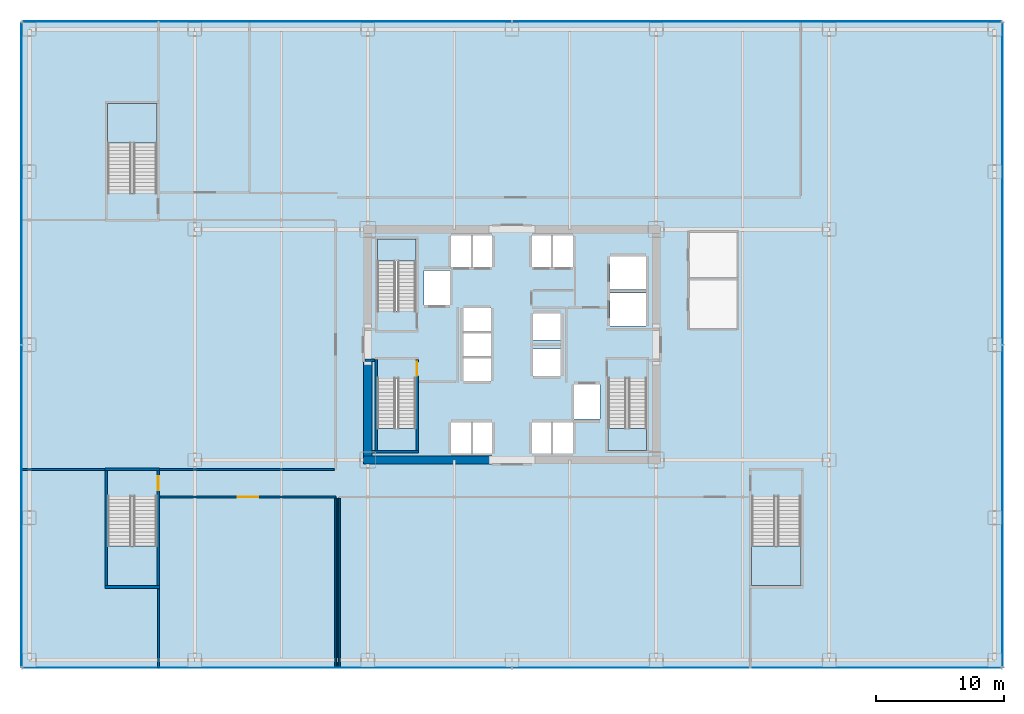
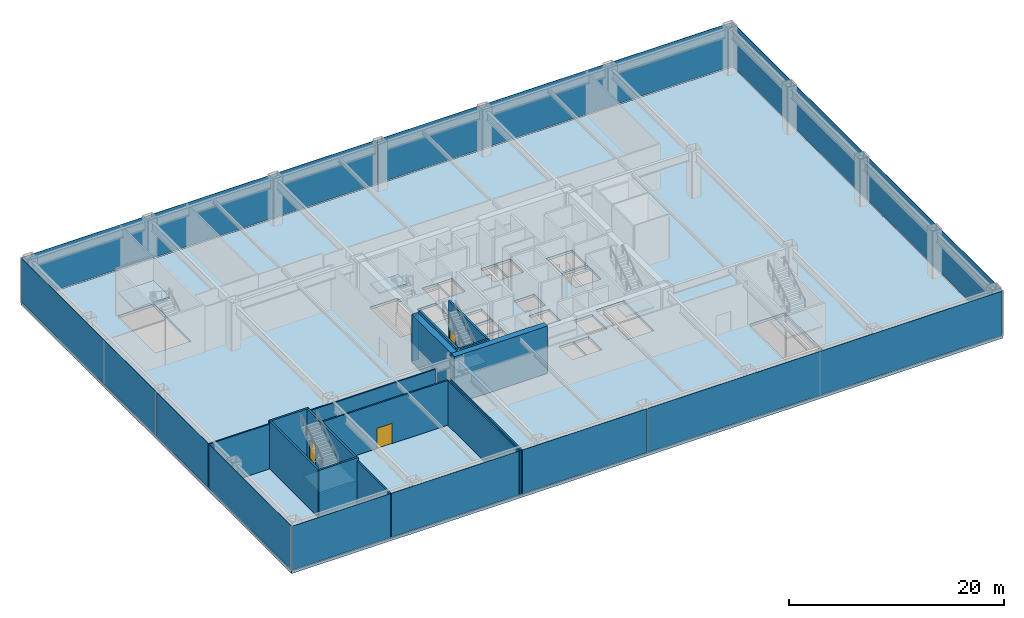
# One storey, part 16 of 24: 16 walls, 8 plates, 7 slabs, 3 doors, 3 openings, 10 elements without a shape of their own.
"""IFC4 building model written with IfcOpenShell, lengths in metres."""

from ifc_helpers import new_model, si_unit, direction, frame, frame_2d, origin, origin_2d, place, context, subcontext, project, spatial, polyline, rectangle, outline, extrude, source, transform, mapped, material, layer, layer_set, type_object, element, fill, aggregate, save


model = new_model("IFC4")

# Units and contexts
model_context = context("Model", 3, precision=1e-05, world=origin(), true_north=direction((0.0, 1.0)))
body_context = subcontext(model_context, "Body", "Model", "MODEL_VIEW")
ifc_project = project(units=[si_unit("LENGTHUNIT", "METRE"), si_unit("AREAUNIT", "SQUARE_METRE"), si_unit("VOLUMEUNIT", "CUBIC_METRE"), si_unit("PLANEANGLEUNIT", "RADIAN"), si_unit("MASSUNIT", "GRAM", prefix="KILO")], contexts=[model_context])

# Site, building, storey
site_placement = place(None, origin())
site = spatial("IfcSite", under=ifc_project, at=site_placement, CompositionType="ELEMENT")
building_placement = place(site_placement, origin())
building = spatial("IfcBuilding", under=site, at=building_placement, Name="Nefas-Gora Pilgrimage Tower", CompositionType="ELEMENT")
storey_placement = place(building_placement, frame((0.0, 0.0, 6.0)))
storey = spatial("IfcBuildingStorey", under=building, at=storey_placement, Name="L01", CompositionType="ELEMENT", Elevation=6.0)

# Slab
ifc_material_1 = material(Name="Concrete C45/55", Category="concrete")
ifc_layer_1 = layer(ifc_material_1, 0.300048828125)
ifc_layer_set_1 = layer_set([ifc_layer_1], Name="Concrete C45/55")
slab_type_1 = type_object("IfcSlabType", Name="SLB-POD-300", PredefinedType="FLOOR", material=ifc_layer_set_1)
slab_1_placement = place(storey_placement, frame((0.0, 0.0, -0.300048828125)))
element("IfcSlab", 1, at=slab_1_placement, inside=storey, type_object=slab_type_1, Name="L01 Structural Floor Slab", PredefinedType="FLOOR", context=body_context, shape_type="SweptSolid", body=[
    extrude(outline(polyline([(38.25, -25.199951171875), (38.25, 25.199951171875), (-38.25, 25.199951171875), (-38.25, -25.199951171875), (38.25, -25.199951171875)]), holes=[polyline([(-10.5, 2.639892578125), (-10.5, 8.25), (-7.5, 8.25), (-7.5, 2.639892578125), (-10.5, 2.639892578125)]), polyline([(10.5, -2.639892578125), (10.5, -8.25), (7.5, -8.25), (7.5, -2.639892578125), (10.5, -2.639892578125)]), polyline([(-7.5, -2.639892578125), (-7.5, -8.25), (-10.5, -8.25), (-10.5, -2.639892578125), (-7.5, -2.639892578125)]), polyline([(-31.5400390625, 11.840087890625), (-31.5400390625, 18.800048828125), (-27.699951171875, 18.800048828125), (-27.699951171875, 11.840087890625), (-31.5400390625, 11.840087890625)]), polyline([(-27.699951171875, -11.840087890625), (-27.699951171875, -18.800048828125), (-31.5400390625, -18.800048828125), (-31.5400390625, -11.840087890625), (-27.699951171875, -11.840087890625)]), polyline([(22.5400390625, -11.840087890625), (22.5400390625, -18.800048828125), (18.699951171875, -18.800048828125), (18.699951171875, -11.840087890625), (22.5400390625, -11.840087890625)]), polyline([(-6.85009765625, 5.800048828125), (-4.85009765625, 5.800048828125), (-4.85009765625, 3.10009765625), (-6.85009765625, 3.10009765625), (-6.85009765625, 5.800048828125)]), polyline([(4.85009765625, -3.10009765625), (6.85009765625, -3.10009765625), (6.85009765625, -5.800048828125), (4.85009765625, -5.800048828125), (4.85009765625, -3.10009765625)]), polyline([(7.64990234375, 4.050048828125), (10.449951171875, 4.050048828125), (10.449951171875, 1.449951171875), (7.64990234375, 1.449951171875), (7.64990234375, 4.050048828125)]), polyline([(7.64990234375, 6.89990234375), (10.449951171875, 6.89990234375), (10.449951171875, 4.300048828125), (7.64990234375, 4.300048828125), (7.64990234375, 6.89990234375)]), polyline([(-4.75, 8.5), (-3.14990234375, 8.5), (-3.14990234375, 6.050048828125), (-4.75, 6.050048828125), (-4.75, 8.5)]), polyline([(-3.10009765625, 8.5), (-1.550048828125, 8.5), (-1.550048828125, 6.050048828125), (-3.10009765625, 6.050048828125), (-3.10009765625, 8.5)]), polyline([(1.550048828125, 8.5), (3.10009765625, 8.5), (3.10009765625, 6.050048828125), (1.550048828125, 6.050048828125), (1.550048828125, 8.5)]), polyline([(3.14990234375, 8.5), (4.75, 8.5), (4.75, 6.050048828125), (3.14990234375, 6.050048828125), (3.14990234375, 8.5)]), polyline([(-4.75, -6.050048828125), (-3.14990234375, -6.050048828125), (-3.14990234375, -8.5), (-4.75, -8.5), (-4.75, -6.050048828125)]), polyline([(-3.10009765625, -6.050048828125), (-1.550048828125, -6.050048828125), (-1.550048828125, -8.5), (-3.10009765625, -8.5), (-3.10009765625, -6.050048828125)]), polyline([(1.550048828125, -6.050048828125), (3.10009765625, -6.050048828125), (3.10009765625, -8.5), (1.550048828125, -8.5), (1.550048828125, -6.050048828125)]), polyline([(3.14990234375, -6.050048828125), (4.75, -6.050048828125), (4.75, -8.5), (3.14990234375, -8.5), (3.14990234375, -6.050048828125)]), polyline([(-3.800048828125, -1.050048828125), (-1.64990234375, -1.050048828125), (-1.64990234375, -2.85009765625), (-3.800048828125, -2.85009765625), (-3.800048828125, -1.050048828125)]), polyline([(-3.800048828125, 0.89990234375), (-1.64990234375, 0.89990234375), (-1.64990234375, -0.89990234375), (-3.800048828125, -0.89990234375), (-3.800048828125, 0.89990234375)]), polyline([(-3.800048828125, 2.85009765625), (-1.64990234375, 2.85009765625), (-1.64990234375, 1.050048828125), (-3.800048828125, 1.050048828125), (-3.800048828125, 2.85009765625)]), polyline([(1.64990234375, -0.35009765625), (3.800048828125, -0.35009765625), (3.800048828125, -2.449951171875), (1.64990234375, -2.449951171875), (1.64990234375, -0.35009765625)]), polyline([(1.64990234375, 2.449951171875), (3.800048828125, 2.449951171875), (3.800048828125, 0.35009765625), (1.64990234375, 0.35009765625), (1.64990234375, 2.449951171875)])]), origin(), (0.0, 0.0, 1.0), 0.300048828125),
])

# Stair, slab
stair_type_1 = type_object("IfcStairType", Name="STR-1400-R1800", PredefinedType="HALF_TURN_STAIR", material=ifc_material_1)
stair_1_placement = place(storey_placement, origin())
stair_1 = element("IfcStair", 2, at=stair_1_placement, inside=storey, type_object=stair_type_1, Name="L01 Pressurised Tower Exit Stair ST-01", PredefinedType="HALF_TURN_STAIR")
ifc_material_2 = material(Name="Concrete C40/50", Category="concrete")
ifc_layer_2 = layer(ifc_material_2, 0.199951171875)
ifc_layer_set_2 = layer_set([ifc_layer_2], Name="Concrete C40/50")
slab_type_2 = type_object("IfcSlabType", Name="STR-LAND-200", PredefinedType="LANDING", material=ifc_layer_set_2)
slab_2_placement = place(storey_placement, frame((0.0, 0.0, 2.5)))
slab_2 = element("IfcSlab", 3, at=slab_2_placement, type_object=slab_type_2, Name="ST-01 landing 1", PredefinedType="LANDING", context=body_context, shape_type="SweptSolid", body=[
    extrude(outline(polyline([(-7.5, 6.52001953125), (-7.5, 8.25), (-10.5, 8.25), (-10.5, 6.52001953125), (-7.5, 6.52001953125)])), origin(), (0.0, 0.0, 1.0), 0.199951171875),
])
aggregate(stair_1, [slab_2])

stair_2_placement = place(storey_placement, origin())
stair_2 = element("IfcStair", 4, at=stair_2_placement, inside=storey, type_object=stair_type_1, Name="L01 Pressurised Tower Exit Stair ST-02", PredefinedType="HALF_TURN_STAIR")
slab_3_placement = place(storey_placement, frame((0.0, 0.0, 2.5)))
slab_3 = element("IfcSlab", 5, at=slab_3_placement, type_object=slab_type_2, Name="ST-02 landing 1", PredefinedType="LANDING", context=body_context, shape_type="SweptSolid", body=[
    extrude(outline(polyline([(7.5, -6.52001953125), (7.5, -8.25), (10.5, -8.25), (10.5, -6.52001953125), (7.5, -6.52001953125)])), origin(), (0.0, 0.0, 1.0), 0.199951171875),
])
aggregate(stair_2, [slab_3])

stair_3_placement = place(storey_placement, origin())
stair_3 = element("IfcStair", 6, at=stair_3_placement, inside=storey, type_object=stair_type_1, Name="L01 Pressurised Tower Exit Stair ST-03", PredefinedType="HALF_TURN_STAIR")
slab_4_placement = place(storey_placement, frame((0.0, 0.0, 2.5)))
slab_4 = element("IfcSlab", 7, at=slab_4_placement, type_object=slab_type_2, Name="ST-03 landing 1", PredefinedType="LANDING", context=body_context, shape_type="SweptSolid", body=[
    extrude(outline(polyline([(-10.5, -6.52001953125), (-10.5, -8.25), (-7.5, -8.25), (-7.5, -6.52001953125), (-10.5, -6.52001953125)])), origin(), (0.0, 0.0, 1.0), 0.199951171875),
])
aggregate(stair_3, [slab_4])

stair_type_2 = type_object("IfcStairType", Name="STR-1820-R1800", PredefinedType="HALF_TURN_STAIR", material=ifc_material_1)
stair_4_placement = place(storey_placement, origin())
stair_4 = element("IfcStair", 8, at=stair_4_placement, inside=storey, type_object=stair_type_2, Name="L01 Podium Exit Stair ST-04", PredefinedType="HALF_TURN_STAIR")
slab_5_placement = place(storey_placement, frame((0.0, 0.0, 2.5)))
slab_5 = element("IfcSlab", 9, at=slab_5_placement, type_object=slab_type_2, Name="ST-04 landing 1", PredefinedType="LANDING", context=body_context, shape_type="SweptSolid", body=[
    extrude(outline(polyline([(-27.699951171875, 15.719970703125), (-27.699951171875, 18.800048828125), (-31.5400390625, 18.800048828125), (-31.5400390625, 15.719970703125), (-27.699951171875, 15.719970703125)])), origin(), (0.0, 0.0, 1.0), 0.199951171875),
])
aggregate(stair_4, [slab_5])

stair_5_placement = place(storey_placement, origin())
stair_5 = element("IfcStair", 10, at=stair_5_placement, inside=storey, type_object=stair_type_2, Name="L01 Podium Exit Stair ST-05", PredefinedType="HALF_TURN_STAIR")
slab_6_placement = place(storey_placement, frame((0.0, 0.0, 2.5)))
slab_6 = element("IfcSlab", 11, at=slab_6_placement, type_object=slab_type_2, Name="ST-05 landing 1", PredefinedType="LANDING", context=body_context, shape_type="SweptSolid", body=[
    extrude(outline(polyline([(-31.5400390625, -15.719970703125), (-31.5400390625, -18.800048828125), (-27.699951171875, -18.800048828125), (-27.699951171875, -15.719970703125), (-31.5400390625, -15.719970703125)])), origin(), (0.0, 0.0, 1.0), 0.199951171875),
])
aggregate(stair_5, [slab_6])

stair_6_placement = place(storey_placement, origin())
stair_6 = element("IfcStair", 12, at=stair_6_placement, inside=storey, type_object=stair_type_2, Name="L01 Podium Exit Stair ST-06", PredefinedType="HALF_TURN_STAIR")
slab_7_placement = place(storey_placement, frame((0.0, 0.0, 2.5)))
slab_7 = element("IfcSlab", 13, at=slab_7_placement, type_object=slab_type_2, Name="ST-06 landing 1", PredefinedType="LANDING", context=body_context, shape_type="SweptSolid", body=[
    extrude(outline(polyline([(18.699951171875, -15.719970703125), (18.699951171875, -18.800048828125), (22.5400390625, -18.800048828125), (22.5400390625, -15.719970703125), (18.699951171875, -15.719970703125)])), origin(), (0.0, 0.0, 1.0), 0.199951171875),
])
aggregate(stair_6, [slab_7])

# Curtain wall, plates
ifc_material_3 = material(Name="Dark ceramic-fritted solar-control aluminium-glass curtain wall", Category="aluminium")
ifc_layer_3 = layer(ifc_material_3, 0.219970703125)
ifc_layer_set_3 = layer_set([ifc_layer_3], Name="Dark ceramic-fritted solar-control aluminium-glass curtain wall")
curtain_wall_type = type_object("IfcCurtainWallType", Name="CW-SYS-1", PredefinedType="NOTDEFINED", material=ifc_layer_set_3)
curtain_wall_1_placement = place(storey_placement, origin())
curtain_wall_1 = element("IfcCurtainWall", 14, at=curtain_wall_1_placement, inside=storey, type_object=curtain_wall_type, Name="L01 Unitised Curtain Wall CW1", PredefinedType="NOTDEFINED")
ifc_material_4 = material(Name="Dark ceramic-printed low-e insulated glass", Category="glass")
ifc_layer_4 = layer(ifc_material_4, 0.035888671875)
ifc_layer_set_4 = layer_set([ifc_layer_4], Name="Dark ceramic-printed low-e insulated glass")
plate_type = type_object("IfcPlateType", Name="CWP-PNL-1", PredefinedType="CURTAIN_PANEL", material=ifc_layer_set_4)
shared_shape_1 = source(origin(), body_context, "Body", "SweptSolid", [
    extrude(rectangle(XDim=25.06494140625, YDim=0.035888671875, at=origin_2d()), origin(), (0.0, 0.0, 1.0), 4.989990234375),
])
plate_1_placement = place(storey_placement, frame((38.25, -12.577392578125, 0.10009765625), z_axis=(0.0, 0.0, 1.0), x_axis=(0.0, 1.0, 0.0)))
plate_1 = element("IfcPlate", 15, at=plate_1_placement, type_object=plate_type, Name="CW1 Ceramic-Fritted Glazing Panel 1", PredefinedType="CURTAIN_PANEL", context=body_context, shape_type="MappedRepresentation", body=[
    mapped(shared_shape_1, transform((0.0, 0.0, 0.0), x_axis=(1.0, 0.0, 0.0), y_axis=(0.0, 1.0, 0.0), z_axis=(0.0, 0.0, 1.0), scale=1.0)),
])
plate_2_placement = place(storey_placement, frame((38.25, 12.577392578125, 0.10009765625), z_axis=(0.0, 0.0, 1.0), x_axis=(0.0, 1.0, 0.0)))
plate_2 = element("IfcPlate", 16, at=plate_2_placement, type_object=plate_type, Name="CW1 Ceramic-Fritted Glazing Panel 2", PredefinedType="CURTAIN_PANEL", context=body_context, shape_type="MappedRepresentation", body=[
    mapped(shared_shape_1, transform((0.0, 0.0, 0.0), x_axis=(1.0, 0.0, 0.0), y_axis=(0.0, 1.0, 0.0), z_axis=(0.0, 0.0, 1.0), scale=1.0)),
])
aggregate(curtain_wall_1, [plate_1, plate_2])

curtain_wall_2_placement = place(storey_placement, origin())
curtain_wall_2 = element("IfcCurtainWall", 17, at=curtain_wall_2_placement, inside=storey, type_object=curtain_wall_type, Name="L01 Unitised Curtain Wall CW1", PredefinedType="NOTDEFINED")
plate_3_placement = place(storey_placement, frame((-38.25, 12.577392578125, 0.10009765625), z_axis=(0.0, 0.0, 1.0), x_axis=(0.0, -1.0, 0.0)))
plate_3 = element("IfcPlate", 18, at=plate_3_placement, type_object=plate_type, Name="CW1 Ceramic-Fritted Glazing Panel 1", PredefinedType="CURTAIN_PANEL", context=body_context, shape_type="MappedRepresentation", body=[
    mapped(shared_shape_1, transform((0.0, 0.0, 0.0), x_axis=(1.0, 0.0, 0.0), y_axis=(0.0, 1.0, 0.0), z_axis=(0.0, 0.0, 1.0), scale=1.0)),
])
plate_4_placement = place(storey_placement, frame((-38.25, -12.577392578125, 0.10009765625), z_axis=(0.0, 0.0, 1.0), x_axis=(0.0, -1.0, 0.0)))
plate_4 = element("IfcPlate", 19, at=plate_4_placement, type_object=plate_type, Name="CW1 Ceramic-Fritted Glazing Panel 2", PredefinedType="CURTAIN_PANEL", context=body_context, shape_type="MappedRepresentation", body=[
    mapped(shared_shape_1, transform((0.0, 0.0, 0.0), x_axis=(1.0, 0.0, 0.0), y_axis=(0.0, 1.0, 0.0), z_axis=(0.0, 0.0, 1.0), scale=1.0)),
])
aggregate(curtain_wall_2, [plate_3, plate_4])

curtain_wall_3_placement = place(storey_placement, origin())
curtain_wall_3 = element("IfcCurtainWall", 20, at=curtain_wall_3_placement, inside=storey, type_object=curtain_wall_type, Name="L01 Unitised Curtain Wall CW1", PredefinedType="NOTDEFINED")
shared_shape_2 = source(origin(), body_context, "Body", "SweptSolid", [
    extrude(rectangle(XDim=38.114990234375, YDim=0.035888671875, at=origin_2d()), origin(), (0.0, 0.0, 1.0), 4.989990234375),
])
plate_5_placement = place(storey_placement, frame((19.1025390625, 25.199951171875, 0.10009765625), z_axis=(0.0, 0.0, 1.0), x_axis=(-1.0, 0.0, 0.0)))
plate_5 = element("IfcPlate", 21, at=plate_5_placement, type_object=plate_type, Name="CW1 Ceramic-Fritted Glazing Panel 1", PredefinedType="CURTAIN_PANEL", context=body_context, shape_type="MappedRepresentation", body=[
    mapped(shared_shape_2, transform((0.0, 0.0, 0.0), x_axis=(1.0, 0.0, 0.0), y_axis=(0.0, 1.0, 0.0), z_axis=(0.0, 0.0, 1.0), scale=1.0)),
])
plate_6_placement = place(storey_placement, frame((-19.1025390625, 25.199951171875, 0.10009765625), z_axis=(0.0, 0.0, 1.0), x_axis=(-1.0, 0.0, 0.0)))
plate_6 = element("IfcPlate", 22, at=plate_6_placement, type_object=plate_type, Name="CW1 Ceramic-Fritted Glazing Panel 2", PredefinedType="CURTAIN_PANEL", context=body_context, shape_type="MappedRepresentation", body=[
    mapped(shared_shape_2, transform((0.0, 0.0, 0.0), x_axis=(1.0, 0.0, 0.0), y_axis=(0.0, 1.0, 0.0), z_axis=(0.0, 0.0, 1.0), scale=1.0)),
])
aggregate(curtain_wall_3, [plate_5, plate_6])

curtain_wall_4_placement = place(storey_placement, origin())
curtain_wall_4 = element("IfcCurtainWall", 23, at=curtain_wall_4_placement, inside=storey, type_object=curtain_wall_type, Name="L01 Unitised Curtain Wall CW1", PredefinedType="NOTDEFINED")
plate_7_placement = place(storey_placement, frame((-19.1025390625, -25.199951171875, 0.10009765625), z_axis=(0.0, 0.0, 1.0), x_axis=(1.0, 0.0, 0.0)))
plate_7 = element("IfcPlate", 24, at=plate_7_placement, type_object=plate_type, Name="CW1 Ceramic-Fritted Glazing Panel 1", PredefinedType="CURTAIN_PANEL", context=body_context, shape_type="MappedRepresentation", body=[
    mapped(shared_shape_2, transform((0.0, 0.0, 0.0), x_axis=(1.0, 0.0, 0.0), y_axis=(0.0, 1.0, 0.0), z_axis=(0.0, 0.0, 1.0), scale=1.0)),
])
plate_8_placement = place(storey_placement, frame((19.1025390625, -25.199951171875, 0.10009765625), z_axis=(0.0, 0.0, 1.0), x_axis=(1.0, 0.0, 0.0)))
plate_8 = element("IfcPlate", 25, at=plate_8_placement, type_object=plate_type, Name="CW1 Ceramic-Fritted Glazing Panel 2", PredefinedType="CURTAIN_PANEL", context=body_context, shape_type="MappedRepresentation", body=[
    mapped(shared_shape_2, transform((0.0, 0.0, 0.0), x_axis=(1.0, 0.0, 0.0), y_axis=(0.0, 1.0, 0.0), z_axis=(0.0, 0.0, 1.0), scale=1.0)),
])
aggregate(curtain_wall_4, [plate_7, plate_8])

# Walls
ifc_material_5 = material(Name="Concrete C60/75", Category="concrete")
ifc_layer_5 = layer(ifc_material_5, 0.64990234375)
ifc_layer_set_5 = layer_set([ifc_layer_5], Name="Concrete C60/75")
wall_type_1 = type_object("IfcWallType", Name="SW-CORE-650", PredefinedType="SHEAR", material=ifc_layer_set_5)
shared_shape_3 = source(origin(), body_context, "Body", "SweptSolid", [
    extrude(rectangle(XDim=10.02490234375, YDim=0.64990234375, at=frame_2d((5.012451171875, 0.0))), origin(), (0.0, 0.0, 1.0), 5.39990234375),
])
wall_1_placement = place(storey_placement, frame((-11.574951171875, -9.0, 0.0), z_axis=(0.0, 0.0, 1.0), x_axis=(1.0, 0.0, 0.0)))
element("IfcWall", 26, at=wall_1_placement, inside=storey, type_object=wall_type_1, Name="L01 Core Shear Wall S-West", PredefinedType="SHEAR", context=body_context, shape_type="MappedRepresentation", body=[
    mapped(shared_shape_3, transform((0.0, 0.0, 0.0), x_axis=(1.0, 0.0, 0.0), y_axis=(0.0, 1.0, 0.0), z_axis=(0.0, 0.0, 1.0), scale=1.0)),
])
shared_shape_4 = source(origin(), body_context, "Body", "SweptSolid", [
    extrude(rectangle(XDim=7.324951171875, YDim=0.64990234375, at=frame_2d((3.66259765625, 0.0))), origin(), (0.0, 0.0, 1.0), 5.39990234375),
])
wall_2_placement = place(storey_placement, frame((-11.25, -8.675048828125, 0.0), z_axis=(0.0, 0.0, 1.0), x_axis=(0.0, 1.0, 0.0)))
element("IfcWall", 27, at=wall_2_placement, inside=storey, type_object=wall_type_1, Name="L01 Core Shear Wall W-South", PredefinedType="SHEAR", context=body_context, shape_type="MappedRepresentation", body=[
    mapped(shared_shape_4, transform((0.0, 0.0, 0.0), x_axis=(1.0, 0.0, 0.0), y_axis=(0.0, 1.0, 0.0), z_axis=(0.0, 0.0, 1.0), scale=1.0)),
])
ifc_layer_6 = layer(ifc_material_1, 0.199951171875)
ifc_layer_set_6 = layer_set([ifc_layer_6], Name="Concrete C45/55")
wall_type_2 = type_object("IfcWallType", Name="IW-STAIR-200", PredefinedType="SOLIDWALL", material=ifc_layer_set_6)
shared_shape_5 = source(origin(), body_context, "Body", "SweptSolid", [
    extrude(rectangle(XDim=3.6298828125, YDim=0.199951171875, at=frame_2d((1.81494140625, 0.0))), origin(), (0.0, 0.0, 1.0), 5.39990234375),
])
wall_3_placement = place(storey_placement, frame((-10.929931640625, -8.35009765625, 0.0), z_axis=(0.0, 0.0, 1.0), x_axis=(1.0, 0.0, 0.0)))
element("IfcWall", 28, at=wall_3_placement, inside=storey, type_object=wall_type_2, Name="L01 Stairwell Shear Wall ST-03-far", PredefinedType="SOLIDWALL", context=body_context, shape_type="MappedRepresentation", body=[
    mapped(shared_shape_5, transform((0.0, 0.0, 0.0), x_axis=(1.0, 0.0, 0.0), y_axis=(0.0, 1.0, 0.0), z_axis=(0.0, 0.0, 1.0), scale=1.0)),
])
shared_shape_6 = source(origin(), body_context, "Body", "SweptSolid", [
    extrude(rectangle(XDim=7.10009765625, YDim=0.199951171875, at=frame_2d((3.550048828125, 0.0))), origin(), (0.0, 0.0, 1.0), 5.39990234375),
])
wall_4_placement = place(storey_placement, frame((-10.60009765625, -1.14990234375, 0.0), z_axis=(0.0, 0.0, 1.0), x_axis=(0.0, -1.0, 0.0)))
element("IfcWall", 29, at=wall_4_placement, inside=storey, type_object=wall_type_2, Name="L01 Stairwell Shear Wall ST-03-left", PredefinedType="SOLIDWALL", context=body_context, shape_type="MappedRepresentation", body=[
    mapped(shared_shape_6, transform((0.0, 0.0, 0.0), x_axis=(1.0, 0.0, 0.0), y_axis=(0.0, 1.0, 0.0), z_axis=(0.0, 0.0, 1.0), scale=1.0)),
])

# Wall, opening, door
wall_5_placement = place(storey_placement, frame((-7.39990234375, -1.14990234375, 0.0), z_axis=(0.0, 0.0, 1.0), x_axis=(0.0, -1.0, 0.0)))
wall_5 = element("IfcWall", 30, at=wall_5_placement, inside=storey, type_object=wall_type_2, Name="L01 Stairwell Shear Wall ST-03-right", PredefinedType="SOLIDWALL", context=body_context, shape_type="MappedRepresentation", body=[
    mapped(shared_shape_6, transform((0.0, 0.0, 0.0), x_axis=(1.0, 0.0, 0.0), y_axis=(0.0, 1.0, 0.0), z_axis=(0.0, 0.0, 1.0), scale=1.0)),
])
opening_1_placement = place(wall_5_placement, frame((0.179931640625, 0.0, 0.0)))
opening_1 = element("IfcOpeningElement", 31, at=opening_1_placement, cuts=wall_5, Name="Opening ID-ST1", PredefinedType="OPENING", context=body_context, shape_type="SweptSolid", body=[
    extrude(rectangle(XDim=1.10009765625, YDim=2.14990234375, at=frame_2d((0.550048828125, 1.074951171875))), frame((0.0, 0.10986328125, 0.0), z_axis=(0.0, -1.0, 0.0), x_axis=(1.0, 0.0, 0.0)), (0.0, 0.0, 1.0), 0.219970703125),
])
ifc_material_6 = material(Name="Painted galvanised steel fire stair door", Category="steel")
door_type_1 = type_object("IfcDoorType", Name="DR-INT-STAIR-1100", OperationType="NOTDEFINED", PredefinedType="DOOR", material=ifc_material_6)
shared_shape_7 = source(origin(), body_context, "Body", "SweptSolid", [
    extrude(rectangle(XDim=1.10009765625, YDim=2.14990234375, at=frame_2d((0.550048828125, 1.074951171875))), frame((0.0, 0.02490234375, 0.0), z_axis=(0.0, -1.0, 0.0), x_axis=(1.0, 0.0, 0.0)), (0.0, 0.0, 1.0), 0.050048828125),
])
door_1_placement = place(opening_1_placement, origin())
door_1 = element("IfcDoor", 32, at=door_1_placement, inside=storey, type_object=door_type_1, Name="L01 Protected Exit Stair Door ST-03", OperationType="SINGLE_SWING_LEFT", OverallHeight=2.14990234375, OverallWidth=1.10009765625, PredefinedType="DOOR", context=body_context, shape_type="MappedRepresentation", body=[
    mapped(shared_shape_7, transform((0.0, 0.0, 0.0), x_axis=(1.0, 0.0, 0.0), y_axis=(0.0, 1.0, 0.0), z_axis=(0.0, 0.0, 1.0), scale=1.0)),
])
fill(opening_1, door_1)

# Walls
shared_shape_8 = source(origin(), body_context, "Body", "SweptSolid", [
    extrude(rectangle(XDim=4.239990234375, YDim=0.199951171875, at=frame_2d((2.1201171875, 0.0))), origin(), (0.0, 0.0, 1.0), 5.39990234375),
])
for number, where, z_axis, x_axis, name in (
    (33, (-31.739990234375, -9.699951171875, 0.0), (0.0, 0.0, 1.0), (1.0, 0.0, 0.0), "L01 Stairwell Shear Wall ST-05-near"),
    (34, (-31.739990234375, -18.89990234375, 0.0), (0.0, 0.0, 1.0), (1.0, 0.0, 0.0), "L01 Stairwell Shear Wall ST-05-far"),
):
    element("IfcWall", number, at=place(storey_placement, frame(where, z_axis=z_axis, x_axis=x_axis)), inside=storey, type_object=wall_type_2, Name=name, PredefinedType="SOLIDWALL", context=body_context, shape_type="MappedRepresentation", body=[
        mapped(shared_shape_8, transform((0.0, 0.0, 0.0), x_axis=(1.0, 0.0, 0.0), y_axis=(0.0, 1.0, 0.0), z_axis=(0.0, 0.0, 1.0), scale=1.0)),
    ])
shared_shape_9 = source(origin(), body_context, "Body", "SweptSolid", [
    extrude(rectangle(XDim=9.0, YDim=0.199951171875, at=frame_2d((4.5, 0.0))), origin(), (0.0, 0.0, 1.0), 5.39990234375),
])
wall_6_placement = place(storey_placement, frame((-31.639892578125, -9.800048828125, 0.0), z_axis=(0.0, 0.0, 1.0), x_axis=(0.0, -1.0, 0.0)))
element("IfcWall", 35, at=wall_6_placement, inside=storey, type_object=wall_type_2, Name="L01 Stairwell Shear Wall ST-05-left", PredefinedType="SOLIDWALL", context=body_context, shape_type="MappedRepresentation", body=[
    mapped(shared_shape_9, transform((0.0, 0.0, 0.0), x_axis=(1.0, 0.0, 0.0), y_axis=(0.0, 1.0, 0.0), z_axis=(0.0, 0.0, 1.0), scale=1.0)),
])

# Wall, opening, door
wall_7_placement = place(storey_placement, frame((-27.60009765625, -9.800048828125, 0.0), z_axis=(0.0, 0.0, 1.0), x_axis=(0.0, -1.0, 0.0)))
wall_7 = element("IfcWall", 36, at=wall_7_placement, inside=storey, type_object=wall_type_2, Name="L01 Stairwell Shear Wall ST-05-right", PredefinedType="SOLIDWALL", context=body_context, shape_type="MappedRepresentation", body=[
    mapped(shared_shape_9, transform((0.0, 0.0, 0.0), x_axis=(1.0, 0.0, 0.0), y_axis=(0.0, 1.0, 0.0), z_axis=(0.0, 0.0, 1.0), scale=1.0)),
])
opening_2_placement = place(wall_7_placement, frame((0.449951171875, 0.0, 0.0)))
opening_2 = element("IfcOpeningElement", 37, at=opening_2_placement, cuts=wall_7, Name="Opening ID-ST1", PredefinedType="OPENING", context=body_context, shape_type="SweptSolid", body=[
    extrude(rectangle(XDim=1.10009765625, YDim=2.14990234375, at=frame_2d((0.550048828125, 1.074951171875))), frame((0.0, 0.10986328125, 0.0), z_axis=(0.0, -1.0, 0.0), x_axis=(1.0, 0.0, 0.0)), (0.0, 0.0, 1.0), 0.219970703125),
])
door_2_placement = place(opening_2_placement, origin())
door_2 = element("IfcDoor", 38, at=door_2_placement, inside=storey, type_object=door_type_1, Name="L01 Protected Exit Stair Door ST-05", OperationType="SINGLE_SWING_LEFT", OverallHeight=2.14990234375, OverallWidth=1.10009765625, PredefinedType="DOOR", context=body_context, shape_type="MappedRepresentation", body=[
    mapped(shared_shape_7, transform((0.0, 0.0, 0.0), x_axis=(1.0, 0.0, 0.0), y_axis=(0.0, 1.0, 0.0), z_axis=(0.0, 0.0, 1.0), scale=1.0)),
])
fill(opening_2, door_2)

# Walls
ifc_material_7 = material(Name="Gypsum fire-rated shaftwall")
ifc_layer_7 = layer(ifc_material_7, 0.199951171875)
ifc_layer_set_7 = layer_set([ifc_layer_7], Name="Gypsum fire-rated shaftwall")
wall_type_3 = type_object("IfcWallType", Name="IW-FFLOB-200", PredefinedType="PARTITIONING", material=ifc_layer_set_7)
shared_shape_10 = source(origin(), body_context, "Body", "SweptSolid", [
    extrude(rectangle(XDim=0.719970703125, YDim=0.199951171875, at=frame_2d((0.35986328125, 0.0))), origin(), (0.0, 0.0, 1.0), 5.0849609375),
])
wall_8_placement = place(storey_placement, frame((-11.4599609375, -1.219970703125, 0.0), z_axis=(0.0, 0.0, 1.0), x_axis=(1.0, 0.0, 0.0)))
element("IfcWall", 39, at=wall_8_placement, inside=storey, type_object=wall_type_3, Name="L01 FF Lobby West Throat S Wall 7", PredefinedType="PARTITIONING", context=body_context, shape_type="MappedRepresentation", body=[
    mapped(shared_shape_10, transform((0.0, 0.0, 0.0), x_axis=(1.0, 0.0, 0.0), y_axis=(0.0, 1.0, 0.0), z_axis=(0.0, 0.0, 1.0), scale=1.0)),
])
ifc_material_8 = material(Name="Gypsum twin-stud partition")
ifc_layer_8 = layer(ifc_material_8, 0.139892578125)
ifc_layer_set_8 = layer_set([ifc_layer_8], Name="Gypsum twin-stud partition")
wall_type_4 = type_object("IfcWallType", Name="IW-UNIT-140", PredefinedType="PARTITIONING", material=ifc_layer_set_8)
shared_shape_11 = source(origin(), body_context, "Body", "SweptSolid", [
    extrude(rectangle(XDim=6.52490234375, YDim=0.139892578125, at=frame_2d((3.262451171875, 0.0))), origin(), (0.0, 0.0, 1.0), 5.0849609375),
])
wall_9_placement = place(storey_placement, frame((-38.27001953125, -9.72998046875, 0.0), z_axis=(0.0, 0.0, 1.0), x_axis=(1.0, 0.0, 0.0)))
element("IfcWall", 40, at=wall_9_placement, inside=storey, type_object=wall_type_4, Name="L01 Congregational Prayer Hall West Partition Wall 27", PredefinedType="PARTITIONING", context=body_context, shape_type="MappedRepresentation", body=[
    mapped(shared_shape_11, transform((0.0, 0.0, 0.0), x_axis=(1.0, 0.0, 0.0), y_axis=(0.0, 1.0, 0.0), z_axis=(0.0, 0.0, 1.0), scale=1.0)),
])
shared_shape_12 = source(origin(), body_context, "Body", "SweptSolid", [
    extrude(rectangle(XDim=13.625, YDim=0.139892578125, at=frame_2d((6.8125, 0.0))), origin(), (0.0, 0.0, 1.0), 5.0849609375),
])
wall_10_placement = place(storey_placement, frame((-27.4951171875, -9.72998046875, 0.0), z_axis=(0.0, 0.0, 1.0), x_axis=(1.0, 0.0, 0.0)))
element("IfcWall", 41, at=wall_10_placement, inside=storey, type_object=wall_type_4, Name="L01 Congregational Prayer Hall West Partition Wall 28", PredefinedType="PARTITIONING", context=body_context, shape_type="MappedRepresentation", body=[
    mapped(shared_shape_12, transform((0.0, 0.0, 0.0), x_axis=(1.0, 0.0, 0.0), y_axis=(0.0, 1.0, 0.0), z_axis=(0.0, 0.0, 1.0), scale=1.0)),
])
shared_shape_13 = source(origin(), body_context, "Body", "SweptSolid", [
    extrude(rectangle(XDim=6.179931640625, YDim=0.139892578125, at=frame_2d((3.08984375, 0.0))), origin(), (0.0, 0.0, 1.0), 5.0849609375),
])
wall_11_placement = place(storey_placement, frame((-27.580078125, -25.219970703125, 0.0), z_axis=(0.0, 0.0, 1.0), x_axis=(0.0, 1.0, 0.0)))
element("IfcWall", 42, at=wall_11_placement, inside=storey, type_object=wall_type_4, Name="L01 Highland Fellowship Hall Partition Wall 39", PredefinedType="PARTITIONING", context=body_context, shape_type="MappedRepresentation", body=[
    mapped(shared_shape_13, transform((0.0, 0.0, 0.0), x_axis=(1.0, 0.0, 0.0), y_axis=(0.0, 1.0, 0.0), z_axis=(0.0, 0.0, 1.0), scale=1.0)),
])
shared_shape_14 = source(origin(), body_context, "Body", "SweptSolid", [
    extrude(rectangle(XDim=13.22998046875, YDim=0.139892578125, at=frame_2d((6.614990234375, 0.0))), origin(), (0.0, 0.0, 1.0), 5.0849609375),
])
for number, where, z_axis, x_axis, name in (
    (43, (-13.75, -25.219970703125, 0.0), (0.0, 0.0, 1.0), (0.0, 1.0, 0.0), "L01 Highland Fellowship Hall Partition Wall 38"),
    (44, (-13.47998046875, -25.219970703125, 0.0), (0.0, 0.0, 1.0), (0.0, 1.0, 0.0), "L01 Pilgrim Orientation Hall Partition Wall 42"),
):
    element("IfcWall", number, at=place(storey_placement, frame(where, z_axis=z_axis, x_axis=x_axis)), inside=storey, type_object=wall_type_4, Name=name, PredefinedType="PARTITIONING", context=body_context, shape_type="MappedRepresentation", body=[
        mapped(shared_shape_14, transform((0.0, 0.0, 0.0), x_axis=(1.0, 0.0, 0.0), y_axis=(0.0, 1.0, 0.0), z_axis=(0.0, 0.0, 1.0), scale=1.0)),
    ])

# Wall, opening, door
ifc_material_9 = material(Name="Gypsum acoustic stud partition")
ifc_layer_9 = layer(ifc_material_9, 0.159912109375)
ifc_layer_set_9 = layer_set([ifc_layer_9], Name="Gypsum acoustic stud partition")
wall_type_5 = type_object("IfcWallType", Name="IW-CORR-160", PredefinedType="PARTITIONING", material=ifc_layer_set_9)
shared_shape_15 = source(origin(), body_context, "Body", "SweptSolid", [
    extrude(rectangle(XDim=13.719970703125, YDim=0.159912109375, at=frame_2d((6.85986328125, 0.0))), origin(), (0.0, 0.0, 1.0), 5.0849609375),
])
wall_12_placement = place(storey_placement, frame((-27.4599609375, -11.8701171875, 0.0), z_axis=(0.0, 0.0, 1.0), x_axis=(1.0, 0.0, 0.0)))
wall_12 = element("IfcWall", 45, at=wall_12_placement, inside=storey, type_object=wall_type_5, Name="L01 Highland Fellowship Hall Partition Wall 37", PredefinedType="PARTITIONING", context=body_context, shape_type="MappedRepresentation", body=[
    mapped(shared_shape_15, transform((0.0, 0.0, 0.0), x_axis=(1.0, 0.0, 0.0), y_axis=(0.0, 1.0, 0.0), z_axis=(0.0, 0.0, 1.0), scale=1.0)),
])
opening_3_placement = place(wall_12_placement, frame((6.06005859375, 0.0, 0.0)))
opening_3 = element("IfcOpeningElement", 46, at=opening_3_placement, cuts=wall_12, Name="Opening ID-HL1", PredefinedType="OPENING", context=body_context, shape_type="SweptSolid", body=[
    extrude(rectangle(XDim=1.60009765625, YDim=2.300048828125, at=frame_2d((0.800048828125, 1.14990234375))), frame((0.0, 0.08984375, 0.0), z_axis=(0.0, -1.0, 0.0), x_axis=(1.0, 0.0, 0.0)), (0.0, 0.0, 1.0), 0.179931640625),
])
ifc_material_10 = material(Name="Double acoustic timber assembly hall door", Category="wood")
door_type_2 = type_object("IfcDoorType", Name="DR-INT-HALL-1600", OperationType="DOUBLE_DOOR_SINGLE_SWING", PredefinedType="DOOR", material=ifc_material_10)
shared_shape_16 = source(origin(), body_context, "Body", "SweptSolid", [
    extrude(rectangle(XDim=1.60009765625, YDim=2.300048828125, at=frame_2d((0.800048828125, 1.14990234375))), frame((0.0, 0.02490234375, 0.0), z_axis=(0.0, -1.0, 0.0), x_axis=(1.0, 0.0, 0.0)), (0.0, 0.0, 1.0), 0.050048828125),
])
door_3_placement = place(opening_3_placement, origin())
door_3 = element("IfcDoor", 47, at=door_3_placement, inside=storey, type_object=door_type_2, Name="L01 Highland Fellowship Hall Door 12", OperationType="DOUBLE_DOOR_SINGLE_SWING", OverallHeight=2.300048828125, OverallWidth=1.60009765625, PredefinedType="DOOR", context=body_context, shape_type="MappedRepresentation", body=[
    mapped(shared_shape_16, transform((0.0, 0.0, 0.0), x_axis=(1.0, 0.0, 0.0), y_axis=(0.0, 1.0, 0.0), z_axis=(0.0, 0.0, 1.0), scale=1.0)),
])
fill(opening_3, door_3)

save(model, "model.ifc")
